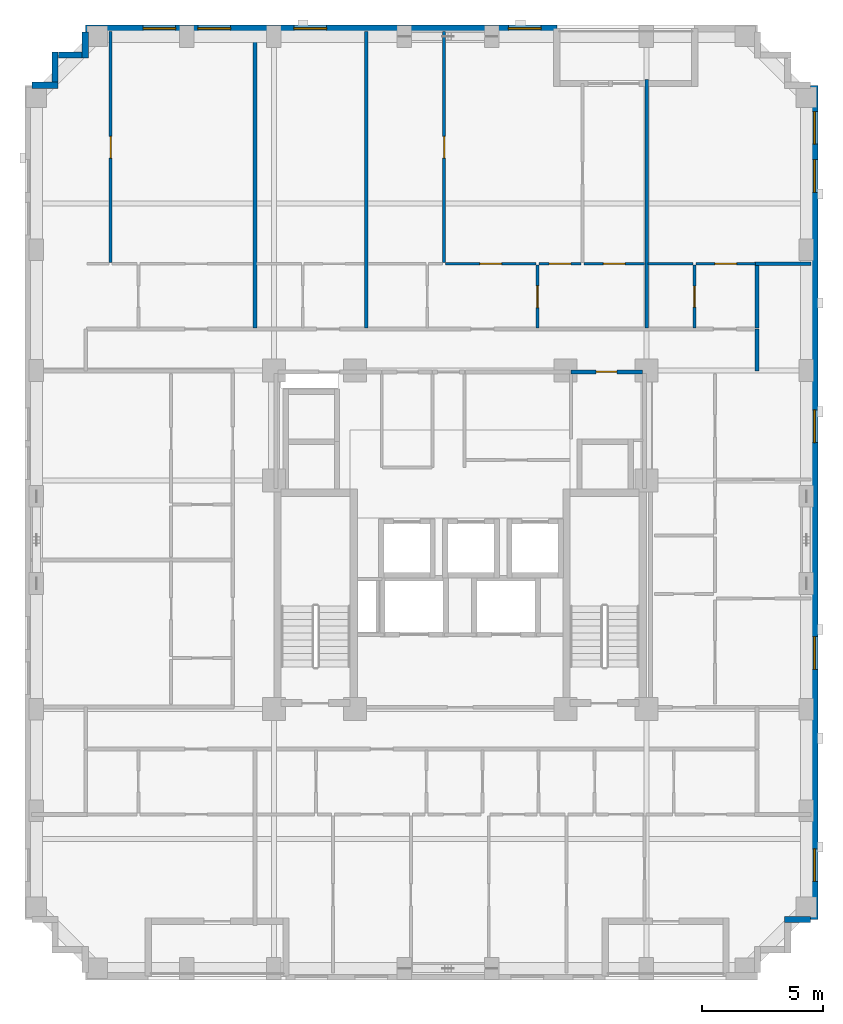
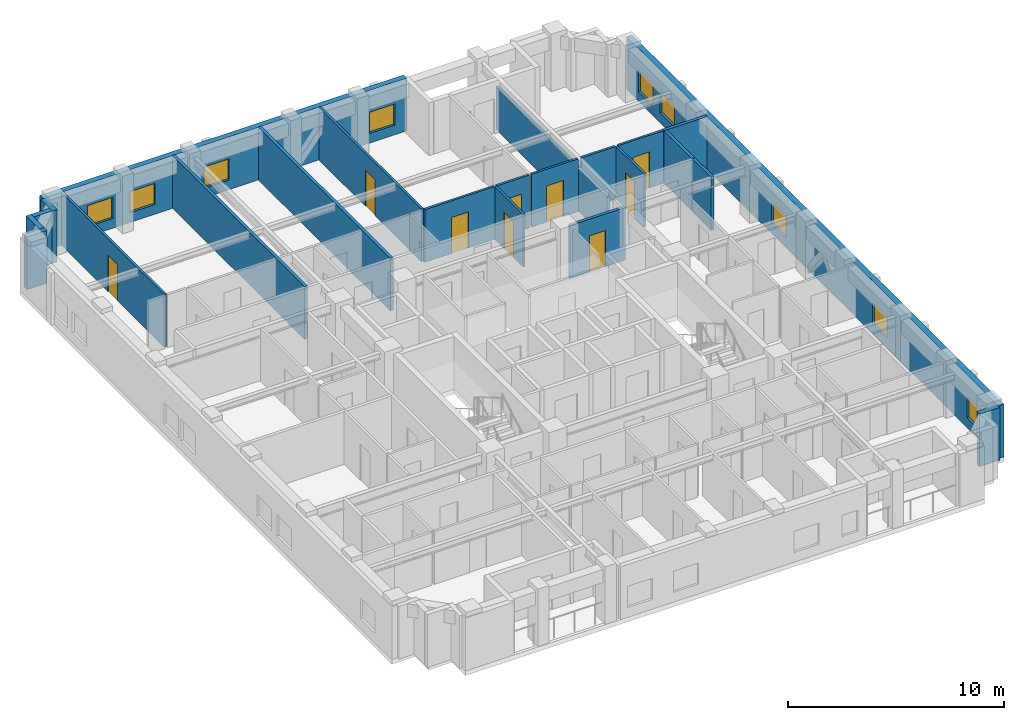
# One storey, part 7 of 11: 23 walls, 9 doors, 9 windows, 18 openings.
"""IFC4 building model written with IfcOpenShell, lengths in metres."""

from ifc_helpers import new_model, si_unit, derived_unit, direction, frame, frame_2d, origin, place, context, subcontext, project, spatial, rectangle, extrude, material, layer, layer_set, type_object, element, fill, save


model = new_model("IFC4")

# Units and contexts
model_context = context("Model", 3, precision=1e-05, world=origin(), true_north=direction((0.0, 1.0)))
body_context = subcontext(model_context, "Body", "Model", "MODEL_VIEW")
ifc_project = project(units=[si_unit("LENGTHUNIT", "METRE"), si_unit("AREAUNIT", "SQUARE_METRE"), si_unit("VOLUMEUNIT", "CUBIC_METRE"), si_unit("PLANEANGLEUNIT", "RADIAN"), si_unit("MASSUNIT", "GRAM", prefix="KILO"), derived_unit("THERMALTRANSMITTANCEUNIT", [(si_unit("MASSUNIT", "GRAM", prefix="KILO"), 1), (si_unit("TIMEUNIT", "SECOND"), -3), (si_unit("THERMODYNAMICTEMPERATUREUNIT", "KELVIN"), -1)])], contexts=[model_context])

# Site, building, storey
site_placement = place(None, origin())
site = spatial("IfcSite", under=ifc_project, at=site_placement, CompositionType="ELEMENT")
building_placement = place(site_placement, origin())
building = spatial("IfcBuilding", under=site, at=building_placement, Name="Korrvale Station Residences", CompositionType="ELEMENT")
storey_placement = place(building_placement, frame((0.0, 0.0, 147.14990234375)))
storey = spatial("IfcBuildingStorey", under=building, at=storey_placement, Name="L42", CompositionType="ELEMENT", Elevation=147.14990234375)

# Walls
ifc_material_1 = material(Name="Precast concrete C45/55", Category="concrete")
ifc_layer_1 = layer(ifc_material_1, 0.260009765625, Name="Precast concrete C45/55")
ifc_layer_set_1 = layer_set([ifc_layer_1], Name="Precast concrete C45/55")
wall_type_1 = type_object("IfcWallType", Name="WAL-EXT-LOG260", PredefinedType="SOLIDWALL", material=ifc_layer_set_1)
wall_1_placement = place(storey_placement, frame((7.802001953125, 40.800048828125, 0.0), z_axis=(0.0, 0.0, 1.0), x_axis=(1.0, 0.0, 0.0)))
element("IfcWall", 1, at=wall_1_placement, inside=storey, type_object=wall_type_1, Name="L42 Serrated Corner Precast Step NW-1", PredefinedType="SOLIDWALL", context=body_context, shape_type="SweptSolid", body=[
    extrude(rectangle(XDim=1.077880859375, YDim=0.260009765625, at=frame_2d((0.5390625, 0.0))), origin(), (0.0, 0.0, 1.0), 2.989990234375),
])
wall_2_placement = place(storey_placement, frame((8.75, 40.931884765625, 0.0), z_axis=(0.0, 0.0, 1.0), x_axis=(0.0, 1.0, 0.0)))
element("IfcWall", 2, at=wall_2_placement, inside=storey, type_object=wall_type_1, Name="L42 Serrated Corner Precast Step NW-2", PredefinedType="SOLIDWALL", context=body_context, shape_type="SweptSolid", body=[
    extrude(rectangle(XDim=1.248046875, YDim=0.260009765625, at=frame_2d((0.6240234375, 0.0))), origin(), (0.0, 0.0, 1.0), 2.989990234375),
])
wall_3_placement = place(storey_placement, frame((8.882080078125, 42.050048828125, 0.0), z_axis=(0.0, 0.0, 1.0), x_axis=(1.0, 0.0, 0.0)))
element("IfcWall", 3, at=wall_3_placement, inside=storey, type_object=wall_type_1, Name="L42 Serrated Corner Precast Step NW-3", PredefinedType="SOLIDWALL", context=body_context, shape_type="SweptSolid", body=[
    extrude(rectangle(XDim=0.98583984375, YDim=0.260009765625, at=frame_2d((0.492919921875, 0.0))), origin(), (0.0, 0.0, 1.0), 2.989990234375),
])
for number, where, z_axis, x_axis, name in (
    (4, (10.0, 41.919921875, 0.0), (0.0, 0.0, 1.0), (0.0, 1.0, 0.0), "L42 Serrated Corner Precast Step NW-4"),
    (5, (39.998046875, 6.300048828125, 0.0), (0.0, 0.0, 1.0), (-1.0, 0.0, 0.0), "L42 Serrated Corner Precast Step SE-1"),
):
    element("IfcWall", number, at=place(storey_placement, frame(where, z_axis=z_axis, x_axis=x_axis)), inside=storey, type_object=wall_type_1, Name=name, PredefinedType="SOLIDWALL", context=body_context, shape_type="SweptSolid", body=[
        extrude(rectangle(XDim=1.078125, YDim=0.260009765625, at=frame_2d((0.5390625, 0.0))), origin(), (0.0, 0.0, 1.0), 2.989990234375),
    ])

# Wall, openings, windows
ifc_layer_2 = layer(ifc_material_1, 0.300048828125, Name="Precast concrete C45/55")
ifc_layer_set_2 = layer_set([ifc_layer_2], Name="Precast concrete C45/55")
wall_type_2 = type_object("IfcWallType", Name="WAL-EXT-PC300", PredefinedType="SOLIDWALL", material=ifc_layer_set_2)
wall_4_placement = place(storey_placement, frame((10.0, 43.14990234375, 0.0), z_axis=(0.0, 0.0, 1.0), x_axis=(1.0, 0.0, 0.0)))
wall_4 = element("IfcWall", 6, at=wall_4_placement, inside=storey, type_object=wall_type_2, Name="L42 North Exterior Precast Wall 1", PredefinedType="SOLIDWALL", context=body_context, shape_type="SweptSolid", body=[
    extrude(rectangle(XDim=19.5, YDim=0.300048828125, at=frame_2d((9.75, 0.0))), origin(), (0.0, 0.0, 1.0), 2.989990234375),
])
opening_1_placement = place(wall_4_placement, frame((2.389892578125, 0.0, 0.550048828125)))
opening_1 = element("IfcOpeningElement", 7, at=opening_1_placement, cuts=wall_4, Name="Opening W-10", PredefinedType="OPENING", context=body_context, shape_type="SweptSolid", body=[
    extrude(rectangle(XDim=1.35009765625, YDim=1.199951171875, at=frame_2d((0.675048828125, 0.60009765625))), frame((0.0, 0.16015625, 0.0), z_axis=(0.0, -1.0, 0.0), x_axis=(1.0, 0.0, 0.0)), (0.0, 0.0, 1.0), 0.320068359375),
])
opening_2_placement = place(wall_4_placement, frame((4.659912109375, 0.0, 0.550048828125)))
opening_2 = element("IfcOpeningElement", 8, at=opening_2_placement, cuts=wall_4, Name="Opening W-10", PredefinedType="OPENING", context=body_context, shape_type="SweptSolid", body=[
    extrude(rectangle(XDim=1.35009765625, YDim=1.199951171875, at=frame_2d((0.675048828125, 0.60009765625))), frame((0.0, 0.16015625, 0.0), z_axis=(0.0, -1.0, 0.0), x_axis=(1.0, 0.0, 0.0)), (0.0, 0.0, 1.0), 0.320068359375),
])
opening_3_placement = place(wall_4_placement, frame((8.625, 0.0, 0.550048828125)))
opening_3 = element("IfcOpeningElement", 9, at=opening_3_placement, cuts=wall_4, Name="Opening W-10", PredefinedType="OPENING", context=body_context, shape_type="SweptSolid", body=[
    extrude(rectangle(XDim=1.35009765625, YDim=1.199951171875, at=frame_2d((0.675048828125, 0.60009765625))), frame((0.0, 0.16015625, 0.0), z_axis=(0.0, -1.0, 0.0), x_axis=(1.0, 0.0, 0.0)), (0.0, 0.0, 1.0), 0.320068359375),
])
opening_4_placement = place(wall_4_placement, frame((17.5, 0.0, 0.550048828125)))
opening_4 = element("IfcOpeningElement", 10, at=opening_4_placement, cuts=wall_4, Name="Opening W-10", PredefinedType="OPENING", context=body_context, shape_type="SweptSolid", body=[
    extrude(rectangle(XDim=1.35009765625, YDim=1.199951171875, at=frame_2d((0.675048828125, 0.60009765625))), frame((0.0, 0.16015625, 0.0), z_axis=(0.0, -1.0, 0.0), x_axis=(1.0, 0.0, 0.0)), (0.0, 0.0, 1.0), 0.320068359375),
])
ifc_material_2 = material(Name="Thermally broken aluminium frame with triple low-e glazing", Category="aluminium")
window_type = type_object("IfcWindowType", Name="WIN-W10", PartitioningType="SINGLE_PANEL", PredefinedType="WINDOW", material=ifc_material_2)
window_1_placement = place(opening_1_placement, origin())
window_1 = element("IfcWindow", 11, at=window_1_placement, inside=storey, type_object=window_type, Name="L42 Punched Window 09", OverallHeight=1.199951171875, OverallWidth=1.35009765625, PartitioningType="SINGLE_PANEL", PredefinedType="WINDOW", context=body_context, shape_type="SweptSolid", body=[
    extrude(rectangle(XDim=1.35009765625, YDim=1.199951171875, at=frame_2d((0.675048828125, 0.60009765625))), frame((0.0, 0.030029296875, 0.0), z_axis=(0.0, -1.0, 0.0), x_axis=(1.0, 0.0, 0.0)), (0.0, 0.0, 1.0), 0.06005859375),
])
fill(opening_1, window_1)
window_2_placement = place(opening_2_placement, origin())
window_2 = element("IfcWindow", 12, at=window_2_placement, inside=storey, type_object=window_type, Name="L42 Punched Window 10", OverallHeight=1.199951171875, OverallWidth=1.35009765625, PartitioningType="SINGLE_PANEL", PredefinedType="WINDOW", context=body_context, shape_type="SweptSolid", body=[
    extrude(rectangle(XDim=1.35009765625, YDim=1.199951171875, at=frame_2d((0.675048828125, 0.60009765625))), frame((0.0, 0.030029296875, 0.0), z_axis=(0.0, -1.0, 0.0), x_axis=(1.0, 0.0, 0.0)), (0.0, 0.0, 1.0), 0.06005859375),
])
fill(opening_2, window_2)
window_3_placement = place(opening_3_placement, origin())
window_3 = element("IfcWindow", 13, at=window_3_placement, inside=storey, type_object=window_type, Name="L42 Punched Window 11", OverallHeight=1.199951171875, OverallWidth=1.35009765625, PartitioningType="SINGLE_PANEL", PredefinedType="WINDOW", context=body_context, shape_type="SweptSolid", body=[
    extrude(rectangle(XDim=1.35009765625, YDim=1.199951171875, at=frame_2d((0.675048828125, 0.60009765625))), frame((0.0, 0.030029296875, 0.0), z_axis=(0.0, -1.0, 0.0), x_axis=(1.0, 0.0, 0.0)), (0.0, 0.0, 1.0), 0.06005859375),
])
fill(opening_3, window_3)
window_4_placement = place(opening_4_placement, origin())
window_4 = element("IfcWindow", 14, at=window_4_placement, inside=storey, type_object=window_type, Name="L42 Punched Window 12", OverallHeight=1.199951171875, OverallWidth=1.35009765625, PartitioningType="SINGLE_PANEL", PredefinedType="WINDOW", context=body_context, shape_type="SweptSolid", body=[
    extrude(rectangle(XDim=1.35009765625, YDim=1.199951171875, at=frame_2d((0.675048828125, 0.60009765625))), frame((0.0, 0.030029296875, 0.0), z_axis=(0.0, -1.0, 0.0), x_axis=(1.0, 0.0, 0.0)), (0.0, 0.0, 1.0), 0.06005859375),
])
fill(opening_4, window_4)

wall_5_placement = place(storey_placement, frame((40.14990234375, 40.800048828125, 0.0), z_axis=(0.0, 0.0, 1.0), x_axis=(0.0, -1.0, 0.0)))
wall_5 = element("IfcWall", 15, at=wall_5_placement, inside=storey, type_object=wall_type_2, Name="L42 East Exterior Precast Wall 1", PredefinedType="SOLIDWALL", context=body_context, shape_type="SweptSolid", body=[
    extrude(rectangle(XDim=34.5, YDim=0.300048828125, at=frame_2d((17.25, 0.0))), origin(), (0.0, 0.0, 1.0), 2.989990234375),
])
opening_5_placement = place(wall_5_placement, frame((31.574951171875, 0.0, 0.550048828125)))
opening_5 = element("IfcOpeningElement", 16, at=opening_5_placement, cuts=wall_5, Name="Opening W-10", PredefinedType="OPENING", context=body_context, shape_type="SweptSolid", body=[
    extrude(rectangle(XDim=1.35009765625, YDim=1.199951171875, at=frame_2d((0.675048828125, 0.60009765625))), frame((0.0, 0.16015625, 0.0), z_axis=(0.0, -1.0, 0.0), x_axis=(1.0, 0.0, 0.0)), (0.0, 0.0, 1.0), 0.320068359375),
])
opening_6_placement = place(wall_5_placement, frame((3.074951171875, 0.0, 0.550048828125)))
opening_6 = element("IfcOpeningElement", 17, at=opening_6_placement, cuts=wall_5, Name="Opening W-10", PredefinedType="OPENING", context=body_context, shape_type="SweptSolid", body=[
    extrude(rectangle(XDim=1.35009765625, YDim=1.199951171875, at=frame_2d((0.675048828125, 0.60009765625))), frame((0.0, 0.16015625, 0.0), z_axis=(0.0, -1.0, 0.0), x_axis=(1.0, 0.0, 0.0)), (0.0, 0.0, 1.0), 0.320068359375),
])
opening_7_placement = place(wall_5_placement, frame((1.0849609375, 0.0, 0.550048828125)))
opening_7 = element("IfcOpeningElement", 18, at=opening_7_placement, cuts=wall_5, Name="Opening W-10", PredefinedType="OPENING", context=body_context, shape_type="SweptSolid", body=[
    extrude(rectangle(XDim=1.35009765625, YDim=1.199951171875, at=frame_2d((0.675048828125, 0.60009765625))), frame((0.0, 0.16015625, 0.0), z_axis=(0.0, -1.0, 0.0), x_axis=(1.0, 0.0, 0.0)), (0.0, 0.0, 1.0), 0.320068359375),
])
opening_8_placement = place(wall_5_placement, frame((22.800048828125, 0.0, 0.550048828125)))
opening_8 = element("IfcOpeningElement", 19, at=opening_8_placement, cuts=wall_5, Name="Opening W-10", PredefinedType="OPENING", context=body_context, shape_type="SweptSolid", body=[
    extrude(rectangle(XDim=1.35009765625, YDim=1.199951171875, at=frame_2d((0.675048828125, 0.60009765625))), frame((0.0, 0.16015625, 0.0), z_axis=(0.0, -1.0, 0.0), x_axis=(1.0, 0.0, 0.0)), (0.0, 0.0, 1.0), 0.320068359375),
])
opening_9_placement = place(wall_5_placement, frame((13.425048828125, 0.0, 0.550048828125)))
opening_9 = element("IfcOpeningElement", 20, at=opening_9_placement, cuts=wall_5, Name="Opening W-10", PredefinedType="OPENING", context=body_context, shape_type="SweptSolid", body=[
    extrude(rectangle(XDim=1.35009765625, YDim=1.199951171875, at=frame_2d((0.675048828125, 0.60009765625))), frame((0.0, 0.16015625, 0.0), z_axis=(0.0, -1.0, 0.0), x_axis=(1.0, 0.0, 0.0)), (0.0, 0.0, 1.0), 0.320068359375),
])
window_5_placement = place(opening_5_placement, origin())
window_5 = element("IfcWindow", 21, at=window_5_placement, inside=storey, type_object=window_type, Name="L42 Punched Window 06", OverallHeight=1.199951171875, OverallWidth=1.35009765625, PartitioningType="SINGLE_PANEL", PredefinedType="WINDOW", context=body_context, shape_type="SweptSolid", body=[
    extrude(rectangle(XDim=1.35009765625, YDim=1.199951171875, at=frame_2d((0.675048828125, 0.60009765625))), frame((0.0, 0.030029296875, 0.0), z_axis=(0.0, -1.0, 0.0), x_axis=(1.0, 0.0, 0.0)), (0.0, 0.0, 1.0), 0.06005859375),
])
fill(opening_5, window_5)
window_6_placement = place(opening_6_placement, origin())
window_6 = element("IfcWindow", 22, at=window_6_placement, inside=storey, type_object=window_type, Name="L42 Punched Window 14", OverallHeight=1.199951171875, OverallWidth=1.35009765625, PartitioningType="SINGLE_PANEL", PredefinedType="WINDOW", context=body_context, shape_type="SweptSolid", body=[
    extrude(rectangle(XDim=1.35009765625, YDim=1.199951171875, at=frame_2d((0.675048828125, 0.60009765625))), frame((0.0, 0.030029296875, 0.0), z_axis=(0.0, -1.0, 0.0), x_axis=(1.0, 0.0, 0.0)), (0.0, 0.0, 1.0), 0.06005859375),
])
fill(opening_6, window_6)
window_7_placement = place(opening_7_placement, origin())
window_7 = element("IfcWindow", 23, at=window_7_placement, inside=storey, type_object=window_type, Name="L42 Punched Window 15", OverallHeight=1.199951171875, OverallWidth=1.35009765625, PartitioningType="SINGLE_PANEL", PredefinedType="WINDOW", context=body_context, shape_type="SweptSolid", body=[
    extrude(rectangle(XDim=1.35009765625, YDim=1.199951171875, at=frame_2d((0.675048828125, 0.60009765625))), frame((0.0, 0.030029296875, 0.0), z_axis=(0.0, -1.0, 0.0), x_axis=(1.0, 0.0, 0.0)), (0.0, 0.0, 1.0), 0.06005859375),
])
fill(opening_7, window_7)
window_8_placement = place(opening_8_placement, origin())
window_8 = element("IfcWindow", 24, at=window_8_placement, inside=storey, type_object=window_type, Name="L42 Punched Window 20", OverallHeight=1.199951171875, OverallWidth=1.35009765625, PartitioningType="SINGLE_PANEL", PredefinedType="WINDOW", context=body_context, shape_type="SweptSolid", body=[
    extrude(rectangle(XDim=1.35009765625, YDim=1.199951171875, at=frame_2d((0.675048828125, 0.60009765625))), frame((0.0, 0.030029296875, 0.0), z_axis=(0.0, -1.0, 0.0), x_axis=(1.0, 0.0, 0.0)), (0.0, 0.0, 1.0), 0.06005859375),
])
fill(opening_8, window_8)
window_9_placement = place(opening_9_placement, origin())
window_9 = element("IfcWindow", 25, at=window_9_placement, inside=storey, type_object=window_type, Name="L42 Punched Window 21", OverallHeight=1.199951171875, OverallWidth=1.35009765625, PartitioningType="SINGLE_PANEL", PredefinedType="WINDOW", context=body_context, shape_type="SweptSolid", body=[
    extrude(rectangle(XDim=1.35009765625, YDim=1.199951171875, at=frame_2d((0.675048828125, 0.60009765625))), frame((0.0, 0.030029296875, 0.0), z_axis=(0.0, -1.0, 0.0), x_axis=(1.0, 0.0, 0.0)), (0.0, 0.0, 1.0), 0.06005859375),
])
fill(opening_9, window_9)

# Wall, opening, door
ifc_material_3 = material(Name="Acoustic steel-stud gypsum board partition", Category="steel")
ifc_layer_3 = layer(ifc_material_3, 0.1201171875, Name="Acoustic steel-stud gypsum board partition")
ifc_layer_set_3 = layer_set([ifc_layer_3], Name="Acoustic steel-stud gypsum board partition")
wall_type_3 = type_object("IfcWallType", Name="WAL-PART-125", PredefinedType="PARTITIONING", material=ifc_layer_set_3)
wall_6_placement = place(storey_placement, frame((11.050048828125, 33.47998046875, 0.0), z_axis=(0.0, 0.0, 1.0), x_axis=(0.0, 1.0, 0.0)))
wall_6 = element("IfcWall", 26, at=wall_6_placement, inside=storey, type_object=wall_type_3, Name="L42 Suite Partition U03-V23", PredefinedType="PARTITIONING", context=body_context, shape_type="SweptSolid", body=[
    extrude(rectangle(XDim=9.5400390625, YDim=0.1201171875, at=frame_2d((4.77001953125, 0.0))), origin(), (0.0, 0.0, 1.0), 2.989990234375),
])
opening_10_placement = place(wall_6_placement, frame((4.304931640625, 0.0, 0.0)))
opening_10 = element("IfcOpeningElement", 27, at=opening_10_placement, cuts=wall_6, Name="Opening DI-900", PredefinedType="OPENING", context=body_context, shape_type="SweptSolid", body=[
    extrude(rectangle(XDim=0.89990234375, YDim=2.050048828125, at=frame_2d((0.449951171875, 1.02490234375))), frame((0.0, 0.070068359375, 0.0), z_axis=(0.0, -1.0, 0.0), x_axis=(1.0, 0.0, 0.0)), (0.0, 0.0, 1.0), 0.14013671875),
])
ifc_material_4 = material(Name="Painted solid-core timber interior room door", Category="wood")
door_type_1 = type_object("IfcDoorType", Name="DR-INT-900", OperationType="NOTDEFINED", PredefinedType="DOOR", material=ifc_material_4)
door_1_placement = place(opening_10_placement, origin())
door_1 = element("IfcDoor", 28, at=door_1_placement, inside=storey, type_object=door_type_1, Name="L42 Studio Apartment L42-U03 Walk-In Wardrobe Door", OperationType="SINGLE_SWING_RIGHT", OverallHeight=2.050048828125, OverallWidth=0.89990234375, PredefinedType="DOOR", context=body_context, shape_type="SweptSolid", body=[
    extrude(rectangle(XDim=0.89990234375, YDim=2.050048828125, at=frame_2d((0.449951171875, 1.02490234375))), frame((0.0, 0.02490234375, 0.0), z_axis=(0.0, -1.0, 0.0), x_axis=(1.0, 0.0, 0.0)), (0.0, 0.0, 1.0), 0.050048828125),
])
fill(opening_10, door_1)

wall_7_placement = place(storey_placement, frame((28.700927734375, 30.760009765625, 0.0), z_axis=(0.0, 0.0, 1.0), x_axis=(0.0, 1.0, 0.0)))
wall_7 = element("IfcWall", 29, at=wall_7_placement, inside=storey, type_object=wall_type_3, Name="L42 Suite Partition U05-V12", PredefinedType="PARTITIONING", context=body_context, shape_type="SweptSolid", body=[
    extrude(rectangle(XDim=2.60009765625, YDim=0.1201171875, at=frame_2d((1.300048828125, 0.0))), origin(), (0.0, 0.0, 1.0), 2.989990234375),
])
opening_11_placement = place(wall_7_placement, frame((0.85009765625, 0.0, 0.0)))
opening_11 = element("IfcOpeningElement", 30, at=opening_11_placement, cuts=wall_7, Name="Opening DI-900", PredefinedType="OPENING", context=body_context, shape_type="SweptSolid", body=[
    extrude(rectangle(XDim=0.89990234375, YDim=2.050048828125, at=frame_2d((0.449951171875, 1.02490234375))), frame((0.0, 0.070068359375, 0.0), z_axis=(0.0, -1.0, 0.0), x_axis=(1.0, 0.0, 0.0)), (0.0, 0.0, 1.0), 0.14013671875),
])
door_2_placement = place(opening_11_placement, origin())
door_2 = element("IfcDoor", 31, at=door_2_placement, inside=storey, type_object=door_type_1, Name="L42 Studio Apartment L42-U05 Kitchen Door", OperationType="SINGLE_SWING_RIGHT", OverallHeight=2.050048828125, OverallWidth=0.89990234375, PredefinedType="DOOR", context=body_context, shape_type="SweptSolid", body=[
    extrude(rectangle(XDim=0.89990234375, YDim=2.050048828125, at=frame_2d((0.449951171875, 1.02490234375))), frame((0.0, 0.02490234375, 0.0), z_axis=(0.0, -1.0, 0.0), x_axis=(1.0, 0.0, 0.0)), (0.0, 0.0, 1.0), 0.050048828125),
])
fill(opening_11, door_2)

wall_8_placement = place(storey_placement, frame((24.90087890625, 33.419921875, 0.0), z_axis=(0.0, 0.0, 1.0), x_axis=(1.0, 0.0, 0.0)))
wall_8 = element("IfcWall", 32, at=wall_8_placement, inside=storey, type_object=wall_type_3, Name="L42 Suite Partition U05-H14", PredefinedType="PARTITIONING", context=body_context, shape_type="SweptSolid", body=[
    extrude(rectangle(XDim=3.740234375, YDim=0.1201171875, at=frame_2d((1.8701171875, 0.0))), origin(), (0.0, 0.0, 1.0), 2.989990234375),
])
opening_12_placement = place(wall_8_placement, frame((1.419921875, 0.0, 0.0)))
opening_12 = element("IfcOpeningElement", 33, at=opening_12_placement, cuts=wall_8, Name="Opening DI-900", PredefinedType="OPENING", context=body_context, shape_type="SweptSolid", body=[
    extrude(rectangle(XDim=0.89990234375, YDim=2.050048828125, at=frame_2d((0.449951171875, 1.02490234375))), frame((0.0, 0.070068359375, 0.0), z_axis=(0.0, -1.0, 0.0), x_axis=(1.0, 0.0, 0.0)), (0.0, 0.0, 1.0), 0.14013671875),
])
door_3_placement = place(opening_12_placement, origin())
door_3 = element("IfcDoor", 34, at=door_3_placement, inside=storey, type_object=door_type_1, Name="L42 Studio Apartment L42-U05 Kitchen Door", OperationType="SINGLE_SWING_LEFT", OverallHeight=2.050048828125, OverallWidth=0.89990234375, PredefinedType="DOOR", context=body_context, shape_type="SweptSolid", body=[
    extrude(rectangle(XDim=0.89990234375, YDim=2.050048828125, at=frame_2d((0.449951171875, 1.02490234375))), frame((0.0, 0.02490234375, 0.0), z_axis=(0.0, -1.0, 0.0), x_axis=(1.0, 0.0, 0.0)), (0.0, 0.0, 1.0), 0.050048828125),
])
fill(opening_12, door_3)

wall_9_placement = place(storey_placement, frame((28.760986328125, 33.419921875, 0.0), z_axis=(0.0, 0.0, 1.0), x_axis=(1.0, 0.0, 0.0)))
wall_9 = element("IfcWall", 35, at=wall_9_placement, inside=storey, type_object=wall_type_3, Name="L42 Suite Partition U05-H24", PredefinedType="PARTITIONING", context=body_context, shape_type="SweptSolid", body=[
    extrude(rectangle(XDim=1.739013671875, YDim=0.1201171875, at=frame_2d((0.86962890625, 0.0))), origin(), (0.0, 0.0, 1.0), 2.989990234375),
])
opening_13_placement = place(wall_9_placement, frame((0.419921875, 0.0, 0.0)))
opening_13 = element("IfcOpeningElement", 36, at=opening_13_placement, cuts=wall_9, Name="Opening DI-900", PredefinedType="OPENING", context=body_context, shape_type="SweptSolid", body=[
    extrude(rectangle(XDim=0.89990234375, YDim=2.050048828125, at=frame_2d((0.449951171875, 1.02490234375))), frame((0.0, 0.070068359375, 0.0), z_axis=(0.0, -1.0, 0.0), x_axis=(1.0, 0.0, 0.0)), (0.0, 0.0, 1.0), 0.14013671875),
])
door_4_placement = place(opening_13_placement, origin())
door_4 = element("IfcDoor", 37, at=door_4_placement, inside=storey, type_object=door_type_1, Name="L42 Studio Apartment L42-U05 Utility and Laundry Room Door", OperationType="SINGLE_SWING_RIGHT", OverallHeight=2.050048828125, OverallWidth=0.89990234375, PredefinedType="DOOR", context=body_context, shape_type="SweptSolid", body=[
    extrude(rectangle(XDim=0.89990234375, YDim=2.050048828125, at=frame_2d((0.449951171875, 1.02490234375))), frame((0.0, 0.02490234375, 0.0), z_axis=(0.0, -1.0, 0.0), x_axis=(1.0, 0.0, 0.0)), (0.0, 0.0, 1.0), 0.050048828125),
])
fill(opening_13, door_4)

wall_10_placement = place(storey_placement, frame((30.6201171875, 33.419921875, 0.0), z_axis=(0.0, 0.0, 1.0), x_axis=(1.0, 0.0, 0.0)))
wall_10 = element("IfcWall", 38, at=wall_10_placement, inside=storey, type_object=wall_type_3, Name="L42 Suite Partition U05-H25", PredefinedType="PARTITIONING", context=body_context, shape_type="SweptSolid", body=[
    extrude(rectangle(XDim=2.5, YDim=0.1201171875, at=frame_2d((1.25, 0.0))), origin(), (0.0, 0.0, 1.0), 2.989990234375),
])
opening_14_placement = place(wall_10_placement, frame((0.800048828125, 0.0, 0.0)))
opening_14 = element("IfcOpeningElement", 39, at=opening_14_placement, cuts=wall_10, Name="Opening DI-900", PredefinedType="OPENING", context=body_context, shape_type="SweptSolid", body=[
    extrude(rectangle(XDim=0.89990234375, YDim=2.050048828125, at=frame_2d((0.449951171875, 1.02490234375))), frame((0.0, 0.070068359375, 0.0), z_axis=(0.0, -1.0, 0.0), x_axis=(1.0, 0.0, 0.0)), (0.0, 0.0, 1.0), 0.14013671875),
])
door_5_placement = place(opening_14_placement, origin())
door_5 = element("IfcDoor", 40, at=door_5_placement, inside=storey, type_object=door_type_1, Name="L42 Studio Apartment L42-U05 Utility and Laundry Room Door", OperationType="SINGLE_SWING_LEFT", OverallHeight=2.050048828125, OverallWidth=0.89990234375, PredefinedType="DOOR", context=body_context, shape_type="SweptSolid", body=[
    extrude(rectangle(XDim=0.89990234375, YDim=2.050048828125, at=frame_2d((0.449951171875, 1.02490234375))), frame((0.0, 0.02490234375, 0.0), z_axis=(0.0, -1.0, 0.0), x_axis=(1.0, 0.0, 0.0)), (0.0, 0.0, 1.0), 0.050048828125),
])
fill(opening_14, door_5)

wall_11_placement = place(storey_placement, frame((24.841064453125, 33.47998046875, 0.0), z_axis=(0.0, 0.0, 1.0), x_axis=(0.0, 1.0, 0.0)))
wall_11 = element("IfcWall", 41, at=wall_11_placement, inside=storey, type_object=wall_type_3, Name="L42 Suite Partition U05-V34", PredefinedType="PARTITIONING", context=body_context, shape_type="SweptSolid", body=[
    extrude(rectangle(XDim=9.5400390625, YDim=0.1201171875, at=frame_2d((4.77001953125, 0.0))), origin(), (0.0, 0.0, 1.0), 2.989990234375),
])
opening_15_placement = place(wall_11_placement, frame((4.304931640625, 0.0, 0.0)))
opening_15 = element("IfcOpeningElement", 42, at=opening_15_placement, cuts=wall_11, Name="Opening DI-900", PredefinedType="OPENING", context=body_context, shape_type="SweptSolid", body=[
    extrude(rectangle(XDim=0.89990234375, YDim=2.050048828125, at=frame_2d((0.449951171875, 1.02490234375))), frame((0.0, 0.070068359375, 0.0), z_axis=(0.0, -1.0, 0.0), x_axis=(1.0, 0.0, 0.0)), (0.0, 0.0, 1.0), 0.14013671875),
])
door_6_placement = place(opening_15_placement, origin())
door_6 = element("IfcDoor", 43, at=door_6_placement, inside=storey, type_object=door_type_1, Name="L42 Studio Apartment L42-U05 Walk-In Wardrobe Door", OperationType="SINGLE_SWING_RIGHT", OverallHeight=2.050048828125, OverallWidth=0.89990234375, PredefinedType="DOOR", context=body_context, shape_type="SweptSolid", body=[
    extrude(rectangle(XDim=0.89990234375, YDim=2.050048828125, at=frame_2d((0.449951171875, 1.02490234375))), frame((0.0, 0.02490234375, 0.0), z_axis=(0.0, -1.0, 0.0), x_axis=(1.0, 0.0, 0.0)), (0.0, 0.0, 1.0), 0.050048828125),
])
fill(opening_15, door_6)

wall_12_placement = place(storey_placement, frame((35.18994140625, 30.760009765625, 0.0), z_axis=(0.0, 0.0, 1.0), x_axis=(0.0, 1.0, 0.0)))
wall_12 = element("IfcWall", 44, at=wall_12_placement, inside=storey, type_object=wall_type_3, Name="L42 Suite Partition U06-V01", PredefinedType="PARTITIONING", context=body_context, shape_type="SweptSolid", body=[
    extrude(rectangle(XDim=2.60009765625, YDim=0.1201171875, at=frame_2d((1.300048828125, 0.0))), origin(), (0.0, 0.0, 1.0), 2.989990234375),
])
opening_16_placement = place(wall_12_placement, frame((0.8701171875, 0.0, 0.0)))
opening_16 = element("IfcOpeningElement", 45, at=opening_16_placement, cuts=wall_12, Name="Opening DB-860", PredefinedType="OPENING", context=body_context, shape_type="SweptSolid", body=[
    extrude(rectangle(XDim=0.860107421875, YDim=2.050048828125, at=frame_2d((0.43017578125, 1.02490234375))), frame((0.0, 0.070068359375, 0.0), z_axis=(0.0, -1.0, 0.0), x_axis=(1.0, 0.0, 0.0)), (0.0, 0.0, 1.0), 0.14013671875),
])
ifc_material_5 = material(Name="Moisture-resistant solid-core bathroom door", Category="timber")
door_type_2 = type_object("IfcDoorType", Name="DR-BATH-860", OperationType="NOTDEFINED", PredefinedType="DOOR", material=ifc_material_5)
door_7_placement = place(opening_16_placement, origin())
door_7 = element("IfcDoor", 46, at=door_7_placement, inside=storey, type_object=door_type_2, Name="L42 Studio Apartment L42-U06 Bathroom Door", OperationType="SINGLE_SWING_RIGHT", OverallHeight=2.050048828125, OverallWidth=0.860107421875, PredefinedType="DOOR", context=body_context, shape_type="SweptSolid", body=[
    extrude(rectangle(XDim=0.860107421875, YDim=2.050048828125, at=frame_2d((0.43017578125, 1.02490234375))), frame((0.0, 0.02490234375, 0.0), z_axis=(0.0, -1.0, 0.0), x_axis=(1.0, 0.0, 0.0)), (0.0, 0.0, 1.0), 0.050048828125),
])
fill(opening_16, door_7)

# Wall
wall_13_placement = place(storey_placement, frame((33.280029296875, 33.419921875, 0.0), z_axis=(0.0, 0.0, 1.0), x_axis=(1.0, 0.0, 0.0)))
element("IfcWall", 47, at=wall_13_placement, inside=storey, type_object=wall_type_3, Name="L42 Suite Partition U06-H02", PredefinedType="PARTITIONING", context=body_context, shape_type="SweptSolid", body=[
    extrude(rectangle(XDim=1.849853515625, YDim=0.1201171875, at=frame_2d((0.9248046875, 0.0))), origin(), (0.0, 0.0, 1.0), 2.989990234375),
])

# Wall, opening, door
wall_14_placement = place(storey_placement, frame((35.25, 33.419921875, 0.0), z_axis=(0.0, 0.0, 1.0), x_axis=(1.0, 0.0, 0.0)))
wall_14 = element("IfcWall", 48, at=wall_14_placement, inside=storey, type_object=wall_type_3, Name="L42 Suite Partition U06-H12", PredefinedType="PARTITIONING", context=body_context, shape_type="SweptSolid", body=[
    extrude(rectangle(XDim=2.469970703125, YDim=0.1201171875, at=frame_2d((1.23486328125, 0.0))), origin(), (0.0, 0.0, 1.0), 2.989990234375),
])
opening_17_placement = place(wall_14_placement, frame((0.784912109375, 0.0, 0.0)))
opening_17 = element("IfcOpeningElement", 49, at=opening_17_placement, cuts=wall_14, Name="Opening DI-900", PredefinedType="OPENING", context=body_context, shape_type="SweptSolid", body=[
    extrude(rectangle(XDim=0.89990234375, YDim=2.050048828125, at=frame_2d((0.449951171875, 1.02490234375))), frame((0.0, 0.070068359375, 0.0), z_axis=(0.0, -1.0, 0.0), x_axis=(1.0, 0.0, 0.0)), (0.0, 0.0, 1.0), 0.14013671875),
])
door_8_placement = place(opening_17_placement, origin())
door_8 = element("IfcDoor", 50, at=door_8_placement, inside=storey, type_object=door_type_1, Name="L42 Studio Apartment L42-U06 Kitchen Door", OperationType="SINGLE_SWING_LEFT", OverallHeight=2.050048828125, OverallWidth=0.89990234375, PredefinedType="DOOR", context=body_context, shape_type="SweptSolid", body=[
    extrude(rectangle(XDim=0.89990234375, YDim=2.050048828125, at=frame_2d((0.449951171875, 1.02490234375))), frame((0.0, 0.02490234375, 0.0), z_axis=(0.0, -1.0, 0.0), x_axis=(1.0, 0.0, 0.0)), (0.0, 0.0, 1.0), 0.050048828125),
])
fill(opening_17, door_8)

ifc_material_6 = material(Name="Fire-rated twin-stud gypsum and mineral wool shaftwall assembly", Category="gypsum")
ifc_layer_4 = layer(ifc_material_6, 0.159912109375, Name="Fire-rated twin-stud gypsum and mineral wool shaftwall assembly")
ifc_layer_set_4 = layer_set([ifc_layer_4], Name="Fire-rated twin-stud gypsum and mineral wool shaftwall assembly")
wall_type_4 = type_object("IfcWallType", Name="WAL-PART-200", PredefinedType="PARTITIONING", material=ifc_layer_set_4)
wall_15_placement = place(storey_placement, frame((30.080078125, 28.949951171875, 0.0), z_axis=(0.0, 0.0, 1.0), x_axis=(1.0, 0.0, 0.0)))
wall_15 = element("IfcWall", 51, at=wall_15_placement, inside=storey, type_object=wall_type_4, Name="L42 Core Partition CW-CS-N", PredefinedType="PARTITIONING", context=body_context, shape_type="SweptSolid", body=[
    extrude(rectangle(XDim=2.9599609375, YDim=0.159912109375, at=frame_2d((1.47998046875, 0.0))), origin(), (0.0, 0.0, 1.0), 2.989990234375),
])
opening_18_placement = place(wall_15_placement, frame((1.044921875, 0.0, 0.0)))
opening_18 = element("IfcOpeningElement", 52, at=opening_18_placement, cuts=wall_15, Name="Opening DB-860", PredefinedType="OPENING", context=body_context, shape_type="SweptSolid", body=[
    extrude(rectangle(XDim=0.860107421875, YDim=2.050048828125, at=frame_2d((0.43017578125, 1.02490234375))), frame((0.0, 0.08984375, 0.0), z_axis=(0.0, -1.0, 0.0), x_axis=(1.0, 0.0, 0.0)), (0.0, 0.0, 1.0), 0.179931640625),
])
door_9_placement = place(opening_18_placement, origin())
door_9 = element("IfcDoor", 53, at=door_9_placement, inside=storey, type_object=door_type_2, Name="L42 Parcel Room Door", OperationType="SINGLE_SWING_LEFT", OverallHeight=2.050048828125, OverallWidth=0.860107421875, PredefinedType="DOOR", context=body_context, shape_type="SweptSolid", body=[
    extrude(rectangle(XDim=0.860107421875, YDim=2.050048828125, at=frame_2d((0.43017578125, 1.02490234375))), frame((0.0, 0.02490234375, 0.0), z_axis=(0.0, -1.0, 0.0), x_axis=(1.0, 0.0, 0.0)), (0.0, 0.0, 1.0), 0.050048828125),
])
fill(opening_18, door_9)

# Walls
wall_16_placement = place(storey_placement, frame((37.780029296875, 28.97998046875, 0.0), z_axis=(0.0, 0.0, 1.0), x_axis=(0.0, 1.0, 0.0)))
element("IfcWall", 54, at=wall_16_placement, inside=storey, type_object=wall_type_4, Name="L42 Corridor North East Cap", PredefinedType="PARTITIONING", context=body_context, shape_type="SweptSolid", body=[
    extrude(rectangle(XDim=1.739990234375, YDim=0.159912109375, at=frame_2d((0.8701171875, 0.0))), origin(), (0.0, 0.0, 1.0), 2.989990234375),
])
for number, where, z_axis, x_axis, name in (
    (55, (17.02392578125, 30.760009765625, 0.0), (0.0, 0.0, 1.0), (0.0, 1.0, 0.0), "L42 Demising Wall U04-W"),
    (56, (21.62109375, 30.760009765625, 0.0), (0.0, 0.0, 1.0), (0.0, 1.0, 0.0), "L42 Demising Wall U05-W"),
):
    element("IfcWall", number, at=place(storey_placement, frame(where, z_axis=z_axis, x_axis=x_axis)), inside=storey, type_object=wall_type_4, Name=name, PredefinedType="PARTITIONING", context=body_context, shape_type="SweptSolid", body=[
        extrude(rectangle(XDim=12.260009765625, YDim=0.159912109375, at=frame_2d((6.1298828125, 0.0))), origin(), (0.0, 0.0, 1.0), 2.989990234375),
    ])
wall_17_placement = place(storey_placement, frame((37.679931640625, 33.419921875, 0.0), z_axis=(0.0, 0.0, 1.0), x_axis=(1.0, 0.0, 0.0)))
element("IfcWall", 57, at=wall_17_placement, inside=storey, type_object=wall_type_4, Name="L42 Corner Step Wall U06-R", PredefinedType="PARTITIONING", context=body_context, shape_type="SweptSolid", body=[
    extrude(rectangle(XDim=2.340087890625, YDim=0.159912109375, at=frame_2d((1.169921875, 0.0))), origin(), (0.0, 0.0, 1.0), 2.989990234375),
])
wall_18_placement = place(storey_placement, frame((37.780029296875, 30.760009765625, 0.0), z_axis=(0.0, 0.0, 1.0), x_axis=(0.0, 1.0, 0.0)))
element("IfcWall", 58, at=wall_18_placement, inside=storey, type_object=wall_type_4, Name="L42 Corner Step Cheek U06-R", PredefinedType="PARTITIONING", context=body_context, shape_type="SweptSolid", body=[
    extrude(rectangle(XDim=2.659912109375, YDim=0.159912109375, at=frame_2d((1.330078125, 0.0))), origin(), (0.0, 0.0, 1.0), 2.989990234375),
])
wall_19_placement = place(storey_placement, frame((33.219970703125, 30.760009765625, 0.0), z_axis=(0.0, 0.0, 1.0), x_axis=(0.0, 1.0, 0.0)))
element("IfcWall", 59, at=wall_19_placement, inside=storey, type_object=wall_type_4, Name="L42 Demising Wall U06-W", PredefinedType="PARTITIONING", context=body_context, shape_type="SweptSolid", body=[
    extrude(rectangle(XDim=10.280029296875, YDim=0.159912109375, at=frame_2d((5.14013671875, 0.0))), origin(), (0.0, 0.0, 1.0), 2.442138671875),
])

save(model, "model.ifc")
